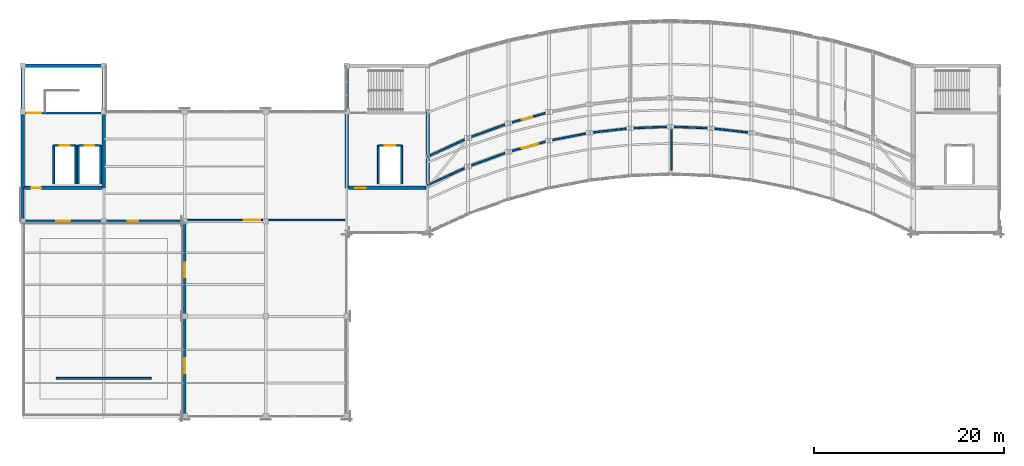
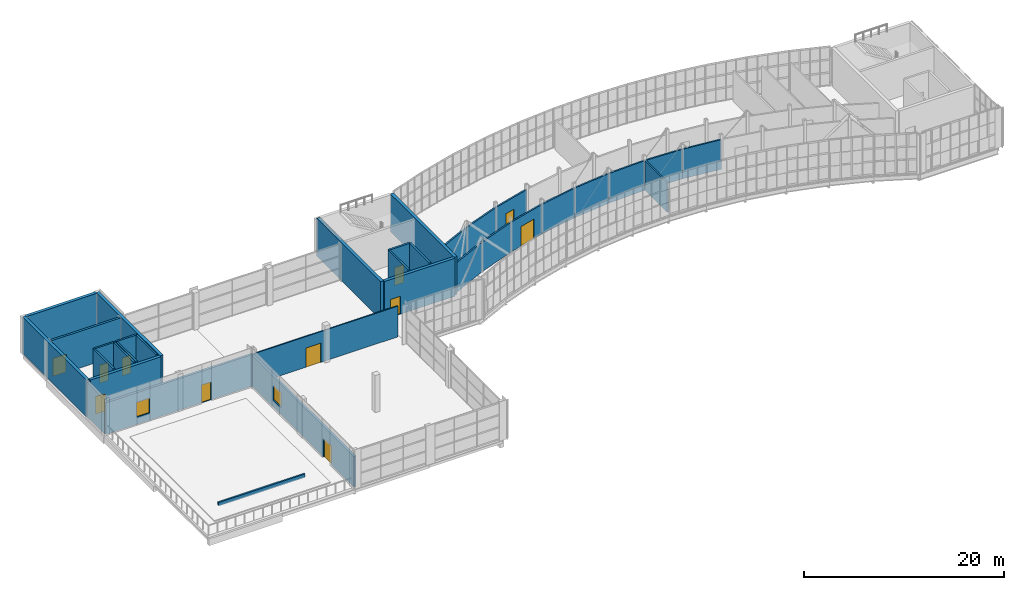
# One storey, part 40 of 46: 34 walls, 11 doors, 2 windows, 13 openings.
"""IFC4 building model written with IfcOpenShell, lengths in metres."""

import ifcopenshell
import ifcopenshell.guid

model = None  # the IFC model being written
_history = None  # IfcOwnerHistory: only IFC2X3 demands one
_inside = {}  # id of a spatial element -> (the spatial element, [elements in it])
_under = {}  # id of a project, library or spatial element -> (it, [spatial elements below it])
_declared = {}  # id of a project -> (the project, [libraries it declares])
_typed = {}  # id of a type object -> (the type object, [elements of that type])
_made_of = {}  # id of a material, layer set ... -> (it, [elements and type objects made of it])


def new_model(schema):
    """Start an empty IFC model of exactly this schema.

    Asked for "IFC4X3", IfcOpenShell would pick the latest addendum, in which some entities
    have other attributes; the version numbers below select the first issue.
    IFC2X3 requires an IfcOwnerHistory on every rooted entity: one is made here for all.
    """
    global model, _history
    if schema == "IFC4X3":
        model = ifcopenshell.file(schema_version=(4, 3, 0, 0))
    else:
        model = ifcopenshell.file(schema=schema)
    _inside.clear()
    _under.clear()
    _declared.clear()
    _typed.clear()
    _made_of.clear()
    _history = None
    if model.schema == "IFC2X3":
        org = make("IfcOrganization", Name="unknown")
        user = make(
            "IfcPersonAndOrganization",
            ThePerson=make("IfcPerson", FamilyName="unknown"),
            TheOrganization=org,
        )
        app = make(
            "IfcApplication",
            ApplicationDeveloper=org,
            Version="unknown",
            ApplicationFullName="unknown",
            ApplicationIdentifier="unknown",
        )
        _history = make(
            "IfcOwnerHistory",
            OwningUser=user,
            OwningApplication=app,
            ChangeAction="ADDED",
            CreationDate=0,
        )
    return model


def make(cls, **values):
    """One entity of the class cls with the attributes given. An attribute that is None is left unset."""
    return model.create_entity(
        cls, **{name: value for name, value in values.items() if value is not None}
    )


def rooted(cls, **values):
    """An entity with a GlobalId (a new one), such as an element, a storey or a relation."""
    return make(cls, GlobalId=ifcopenshell.guid.new(), OwnerHistory=_history, **values)


def si_unit(unit_type, name, prefix=None):
    """IfcSIUnit, for example si_unit("LENGTHUNIT", "METRE", prefix="MILLI")."""
    return make("IfcSIUnit", UnitType=unit_type, Prefix=prefix, Name=name)


def assignment(units):
    """IfcUnitAssignment: the units of a project."""
    return None if units is None else make("IfcUnitAssignment", Units=units)


def point(xyz):
    """IfcCartesianPoint."""
    return None if xyz is None else make("IfcCartesianPoint", Coordinates=xyz)


def direction(xyz):
    """IfcDirection."""
    return None if xyz is None else make("IfcDirection", DirectionRatios=xyz)


def frame(location, z_axis=None, x_axis=None):
    """IfcAxis2Placement3D, a coordinate frame: its origin and axes. An axis left out is left unset."""
    return make(
        "IfcAxis2Placement3D",
        Location=point(location),
        Axis=direction(z_axis),
        RefDirection=direction(x_axis),
    )


def frame_2d(location, x_axis=None):
    """IfcAxis2Placement2D, a coordinate frame in the plane: its origin and x axis."""
    return make(
        "IfcAxis2Placement2D", Location=point(location), RefDirection=direction(x_axis)
    )


def origin():
    """The frame at (0, 0, 0) with its axes left unset."""
    return frame((0.0, 0.0, 0.0))


def place(relative_to, where):
    """IfcLocalPlacement: puts the frame where relative to a parent placement (None: the world)."""
    return make(
        "IfcLocalPlacement", PlacementRelTo=relative_to, RelativePlacement=where
    )


def context(
    kind, dimensions, precision=None, world=None, true_north=None, identifier=None
):
    """IfcGeometricRepresentationContext, for example the 3D "Model" context."""
    return make(
        "IfcGeometricRepresentationContext",
        ContextIdentifier=identifier,
        ContextType=kind,
        CoordinateSpaceDimension=dimensions,
        Precision=precision,
        WorldCoordinateSystem=world,
        TrueNorth=true_north,
    )


def subcontext(parent, identifier, kind, view, scale=None):
    """IfcGeometricRepresentationSubContext, for example "Body" below "Model"."""
    return make(
        "IfcGeometricRepresentationSubContext",
        ContextIdentifier=identifier,
        ContextType=kind,
        ParentContext=parent,
        TargetScale=scale,
        TargetView=view,
    )


def project(units=None, contexts=None):
    """IfcProject with its units and contexts."""
    return rooted(
        "IfcProject",
        Name="project",
        RepresentationContexts=contexts,
        UnitsInContext=assignment(units),
    )


def spatial(cls, under=None, at=None, **own):
    """A site, building, storey or space (cls), placed at a placement, below another one or the project."""
    s = rooted(cls, ObjectPlacement=at, **own)
    if under is not None:
        _under.setdefault(under.id(), (under, []))[1].append(s)
    return s


def profile(cls, at=None, kind="AREA", **sizes):
    """A parametric profile (cls). Its sizes go by their IFC names, for example OverallWidth=200.0."""
    return make(cls, ProfileType=kind, Position=at, **sizes)


def rectangle(**sizes):
    """IfcRectangleProfileDef."""
    return profile("IfcRectangleProfileDef", **sizes)


def extrude(swept, where, along, depth):
    """IfcExtrudedAreaSolid: the profile swept, set in the frame where, extruded along a direction by depth."""
    return make(
        "IfcExtrudedAreaSolid",
        SweptArea=swept,
        Position=where,
        ExtrudedDirection=direction(along),
        Depth=depth,
    )


def shape(context_of_items, identifier, shape_type, items):
    """IfcShapeRepresentation: the items that make up one representation, for example the "Body"."""
    return make(
        "IfcShapeRepresentation",
        ContextOfItems=context_of_items,
        RepresentationIdentifier=identifier,
        RepresentationType=shape_type,
        Items=items,
    )


def material(Name=None, Category=None):
    """IfcMaterial."""
    return make("IfcMaterial", Name=Name, Category=Category)


def layer(
    of_material, thickness, ventilated=None, Name=None, Category=None, Priority=None
):
    """IfcMaterialLayer: one layer of a wall or slab, of a material (None: an air gap)."""
    return make(
        "IfcMaterialLayer",
        Material=of_material,
        LayerThickness=thickness,
        IsVentilated=ventilated,
        Name=Name,
        Category=Category,
        Priority=Priority,
    )


def layer_set(layers, Name=None):
    """IfcMaterialLayerSet."""
    return make("IfcMaterialLayerSet", MaterialLayers=layers, LayerSetName=Name)


def made_of(thing, what):
    """Note that an element or type object is made of a material, layer set ...; save() writes the relation."""
    if what is not None:
        _made_of.setdefault(what.id(), (what, []))[1].append(thing)
    return thing


def type_object(cls, material=None, **own):
    """A type object (cls), such as IfcWallType, which elements share."""
    return made_of(rooted(cls, **own), material)


def element(
    cls,
    number,
    at=None,
    inside=None,
    cuts=None,
    type_object=None,
    material=None,
    context=None,
    identifier="Body",
    shape_type=None,
    held_by="IfcProductDefinitionShape",
    body=None,
    shapes=None,
    **own,
):
    """One element of the class cls, such as IfcWall. Its Tag is "e" and its number.

    at: its placement. inside: the storey or other place that contains it. cuts: it is an
    opening in that element (IfcRelVoidsElement). A single representation is given by context,
    identifier, shape_type and body (its items); several are given by shapes. held_by: the class
    of the entity that holds the representations. save() writes the other relations.
    """
    e = rooted(cls, Tag="e%d" % number, ObjectPlacement=at, **own)
    if body is not None:
        shapes = [shape(context, identifier, shape_type, body)]
    if shapes is not None:
        e.Representation = make(held_by, Representations=shapes)
    if inside is not None:
        _inside.setdefault(inside.id(), (inside, []))[1].append(e)
    if cuts is not None:
        rooted(
            "IfcRelVoidsElement", RelatingBuildingElement=cuts, RelatedOpeningElement=e
        )
    if type_object is not None:
        _typed.setdefault(type_object.id(), (type_object, []))[1].append(e)
    return made_of(e, material)


def fill(opening, filler):
    """IfcRelFillsElement: the door or window that sits in an opening."""
    return rooted(
        "IfcRelFillsElement",
        RelatingOpeningElement=opening,
        RelatedBuildingElement=filler,
    )


def aggregate(whole, parts):
    """IfcRelAggregates: a whole, such as a stair, and the parts it consists of."""
    return rooted("IfcRelAggregates", RelatingObject=whole, RelatedObjects=parts)


def save(model, path):
    """Write the relations noted so far, then the file.

    IfcRelAggregates (storeys below a building ...), IfcRelContainedInSpatialStructure (elements
    in a storey), IfcRelDefinesByType, IfcRelAssociatesMaterial and IfcRelDeclares: one each for
    every whole, place, type object, material and project.
    """
    for whole, parts in _under.values():
        aggregate(whole, parts)
    for where, things in _inside.values():
        rooted(
            "IfcRelContainedInSpatialStructure",
            RelatedElements=things,
            RelatingStructure=where,
        )
    for kind, things in _typed.values():
        rooted("IfcRelDefinesByType", RelatedObjects=things, RelatingType=kind)
    for what, things in _made_of.values():
        rooted("IfcRelAssociatesMaterial", RelatedObjects=things, RelatingMaterial=what)
    for by, libraries in _declared.values():
        rooted("IfcRelDeclares", RelatingContext=by, RelatedDefinitions=libraries)
    model.write(path)


model = new_model("IFC4")

# Units and contexts
model_context = context("Model", 3, precision=1e-05, world=origin(), true_north=direction((0.0, 1.0)))
body_context = subcontext(model_context, "Body", "Model", "MODEL_VIEW")
ifc_project = project(units=[si_unit("LENGTHUNIT", "METRE"), si_unit("AREAUNIT", "SQUARE_METRE"), si_unit("VOLUMEUNIT", "CUBIC_METRE"), si_unit("PLANEANGLEUNIT", "RADIAN"), si_unit("MASSUNIT", "GRAM", prefix="KILO")], contexts=[model_context])

# Site, building, storey
site_placement = place(None, origin())
site = spatial("IfcSite", under=ifc_project, at=site_placement, CompositionType="ELEMENT")
building_placement = place(site_placement, origin())
building = spatial("IfcBuilding", under=site, at=building_placement, Name="Solvikara Media Centre", CompositionType="ELEMENT")
storey_placement = place(building_placement, frame((0.0, 0.0, 24.60009765625)))
storey = spatial("IfcBuildingStorey", under=building, at=storey_placement, Name="L05", CompositionType="ELEMENT", Elevation=24.60009765625)

# Walls
ifc_material_1 = material(Name="Concrete fc' 45 MPa (C45/55)", Category="concrete")
ifc_layer_1 = layer(ifc_material_1, 0.35009765625)
ifc_layer_set_1 = layer_set([ifc_layer_1], Name="Concrete fc' 45 MPa (C45/55)")
wall_type_1 = type_object("IfcWallType", Name="WT-03", PredefinedType="SHEAR", material=ifc_layer_set_1)
for number, where, z_axis, x_axis, name in (
    (1, (34.0, 24.0, 0.0), (0.0, 0.0, 1.0), (0.0, 1.0, 0.0), "CW-C2-L05-W"),
    (2, (42.5, 24.0, 0.0), (0.0, 0.0, 1.0), (0.0, 1.0, 0.0), "CW-C2-L05-E"),
):
    element("IfcWall", number, at=place(storey_placement, frame(where, z_axis=z_axis, x_axis=x_axis)), inside=storey, type_object=wall_type_1, Name=name, PredefinedType="SHEAR", context=body_context, shape_type="SweptSolid", body=[
        extrude(rectangle(XDim=12.800048828125, YDim=0.35009765625, at=frame_2d((6.39990234375, 0.0))), origin(), (0.0, 0.0, 1.0), 4.489990234375),
    ])
wall_1_placement = place(storey_placement, frame((34.175048828125, 36.800048828125, 0.0), z_axis=(0.0, 0.0, 1.0), x_axis=(1.0, 0.0, 0.0)))
element("IfcWall", 3, at=wall_1_placement, inside=storey, type_object=wall_type_1, Name="CW-C2-L05-N", PredefinedType="SHEAR", context=body_context, shape_type="SweptSolid", body=[
    extrude(rectangle(XDim=8.14990234375, YDim=0.35009765625, at=frame_2d((4.074951171875, 0.0))), origin(), (0.0, 0.0, 1.0), 4.489990234375),
])

# Wall, opening, door
wall_2_placement = place(storey_placement, frame((34.175048828125, 24.0, 0.0), z_axis=(0.0, 0.0, 1.0), x_axis=(1.0, 0.0, 0.0)))
wall_2 = element("IfcWall", 4, at=wall_2_placement, inside=storey, type_object=wall_type_1, Name="CW-C2-L05-S", PredefinedType="SHEAR", context=body_context, shape_type="SweptSolid", body=[
    extrude(rectangle(XDim=8.14990234375, YDim=0.35009765625, at=frame_2d((4.074951171875, 0.0))), origin(), (0.0, 0.0, 1.0), 4.489990234375),
])
opening_1_placement = place(wall_2_placement, frame((0.699951171875, 0.0, 0.0)))
opening_1 = element("IfcOpeningElement", 5, at=opening_1_placement, cuts=wall_2, Name="Opening D-C2-L05-LOB", PredefinedType="OPENING", context=body_context, shape_type="SweptSolid", body=[
    extrude(rectangle(XDim=1.050048828125, YDim=2.14990234375, at=frame_2d((0.52490234375, 1.074951171875))), frame((0.0, 0.18701171875, 0.0), z_axis=(0.0, -1.0, 0.0), x_axis=(1.0, 0.0, 0.0)), (0.0, 0.0, 1.0), 0.3740234375),
])
ifc_material_2 = material(Name="Insulated fire-rated steel door leaf", Category="steel")
door_type_1 = type_object("IfcDoorType", Name="DT-10", OperationType="NOTDEFINED", PredefinedType="DOOR", material=ifc_material_2)
door_1_placement = place(opening_1_placement, frame((1.050048828125, 0.0, 0.0), z_axis=(0.0, 0.0, 1.0), x_axis=(-1.0, 0.0, 0.0)))
door_1 = element("IfcDoor", 6, at=door_1_placement, inside=storey, type_object=door_type_1, Name="D-C2-L05-LOB", OperationType="SINGLE_SWING_RIGHT", OverallHeight=2.14990234375, OverallWidth=1.050048828125, PredefinedType="DOOR", context=body_context, shape_type="SweptSolid", body=[
    extrude(rectangle(XDim=1.050048828125, YDim=2.14990234375, at=frame_2d((0.52490234375, 1.074951171875))), frame((0.0, 0.02490234375, 0.0), z_axis=(0.0, -1.0, 0.0), x_axis=(1.0, 0.0, 0.0)), (0.0, 0.0, 1.0), 0.050048828125),
])
fill(opening_1, door_1)

# Walls
for number, where, z_axis, x_axis, name in (
    (7, (68.0, 24.0, 0.0), (0.0, 0.0, 1.0), (0.0, 1.0, 0.0), "CW-C3-L05-W"),
    (8, (76.5, 24.0, 0.0), (0.0, 0.0, 1.0), (0.0, 1.0, 0.0), "CW-C3-L05-E"),
):
    element("IfcWall", number, at=place(storey_placement, frame(where, z_axis=z_axis, x_axis=x_axis)), inside=storey, type_object=wall_type_1, Name=name, PredefinedType="SHEAR", context=body_context, shape_type="SweptSolid", body=[
        extrude(rectangle(XDim=12.800048828125, YDim=0.35009765625, at=frame_2d((6.39990234375, 0.0))), origin(), (0.0, 0.0, 1.0), 4.639892578125),
    ])

# Wall, opening, door
wall_3_placement = place(storey_placement, frame((68.175048828125, 24.0, 0.0), z_axis=(0.0, 0.0, 1.0), x_axis=(1.0, 0.0, 0.0)))
wall_3 = element("IfcWall", 9, at=wall_3_placement, inside=storey, type_object=wall_type_1, Name="CW-C3-L05-S", PredefinedType="SHEAR", context=body_context, shape_type="SweptSolid", body=[
    extrude(rectangle(XDim=8.14990234375, YDim=0.35009765625, at=frame_2d((4.074951171875, 0.0))), origin(), (0.0, 0.0, 1.0), 4.639892578125),
])
opening_2_placement = place(wall_3_placement, frame((0.699951171875, 0.0, 0.0)))
opening_2 = element("IfcOpeningElement", 10, at=opening_2_placement, cuts=wall_3, Name="Opening D-C3-L05-LOB", PredefinedType="OPENING", context=body_context, shape_type="SweptSolid", body=[
    extrude(rectangle(XDim=1.14990234375, YDim=2.199951171875, at=frame_2d((0.574951171875, 1.10009765625))), frame((0.0, 0.18701171875, 0.0), z_axis=(0.0, -1.0, 0.0), x_axis=(1.0, 0.0, 0.0)), (0.0, 0.0, 1.0), 0.3740234375),
])
door_type_2 = type_object("IfcDoorType", Name="DT-09", OperationType="NOTDEFINED", PredefinedType="DOOR", material=ifc_material_2)
door_2_placement = place(opening_2_placement, frame((1.14990234375, 0.0, 0.0), z_axis=(0.0, 0.0, 1.0), x_axis=(-1.0, 0.0, 0.0)))
door_2 = element("IfcDoor", 11, at=door_2_placement, inside=storey, type_object=door_type_2, Name="D-C3-L05-LOB", OperationType="SINGLE_SWING_RIGHT", OverallHeight=2.199951171875, OverallWidth=1.14990234375, PredefinedType="DOOR", context=body_context, shape_type="SweptSolid", body=[
    extrude(rectangle(XDim=1.14990234375, YDim=2.199951171875, at=frame_2d((0.574951171875, 1.10009765625))), frame((0.0, 0.02490234375, 0.0), z_axis=(0.0, -1.0, 0.0), x_axis=(1.0, 0.0, 0.0)), (0.0, 0.0, 1.0), 0.050048828125),
])
fill(opening_2, door_2)

ifc_layer_2 = layer(ifc_material_1, 0.25)
ifc_layer_set_2 = layer_set([ifc_layer_2], Name="Concrete fc' 45 MPa (C45/55)")
wall_type_2 = type_object("IfcWallType", Name="WT-07", PredefinedType="STANDARD", material=ifc_layer_set_2)
wall_4_placement = place(storey_placement, frame((34.25, 31.85009765625, 0.0), z_axis=(0.0, 0.0, 1.0), x_axis=(1.0, 0.0, 0.0)))
wall_4 = element("IfcWall", 12, at=wall_4_placement, inside=storey, type_object=wall_type_2, Name="CW-C2-L05-SD", PredefinedType="STANDARD", context=body_context, shape_type="SweptSolid", body=[
    extrude(rectangle(XDim=8.0, YDim=0.25, at=frame_2d((4.0, 0.0))), origin(), (0.0, 0.0, 1.0), 4.489990234375),
])
opening_3_placement = place(wall_4_placement, frame((0.199951171875, 0.0, 0.0)))
opening_3 = element("IfcOpeningElement", 13, at=opening_3_placement, cuts=wall_4, Name="Opening D-C2-L05-ST", PredefinedType="OPENING", context=body_context, shape_type="SweptSolid", body=[
    extrude(rectangle(XDim=1.5, YDim=2.199951171875, at=frame_2d((0.75, 1.10009765625))), frame((0.0, 0.136962890625, 0.0), z_axis=(0.0, -1.0, 0.0), x_axis=(1.0, 0.0, 0.0)), (0.0, 0.0, 1.0), 0.27392578125),
])
door_type_3 = type_object("IfcDoorType", Name="DT-08", OperationType="DOUBLE_DOOR_SINGLE_SWING", PredefinedType="DOOR", material=ifc_material_2)
door_3_placement = place(opening_3_placement, frame((1.5, 0.0, 0.0), z_axis=(0.0, 0.0, 1.0), x_axis=(-1.0, 0.0, 0.0)))
door_3 = element("IfcDoor", 14, at=door_3_placement, inside=storey, type_object=door_type_3, Name="D-C2-L05-ST", OperationType="DOUBLE_DOOR_SINGLE_SWING", OverallHeight=2.199951171875, OverallWidth=1.5, PredefinedType="DOOR", context=body_context, shape_type="SweptSolid", body=[
    extrude(rectangle(XDim=1.5, YDim=2.199951171875, at=frame_2d((0.75, 1.10009765625))), frame((0.0, 0.02490234375, 0.0), z_axis=(0.0, -1.0, 0.0), x_axis=(1.0, 0.0, 0.0)), (0.0, 0.0, 1.0), 0.050048828125),
])
fill(opening_3, door_3)

# Wall, openings, door, window
ifc_material_3 = material(Name="Precast concrete fc' 40 MPa (C40/50)", Category="concrete")
ifc_layer_3 = layer(ifc_material_3, 0.260009765625)
ifc_layer_set_3 = layer_set([ifc_layer_3], Name="Precast concrete fc' 40 MPa (C40/50)")
wall_type_3 = type_object("IfcWallType", Name="WT-12", PredefinedType="STANDARD", material=ifc_layer_set_3)
wall_5_placement = place(storey_placement, frame((51.0, 0.0, 0.0), z_axis=(0.0, 0.0, 1.0), x_axis=(0.0, 1.0, 0.0)))
wall_5 = element("IfcWall", 15, at=wall_5_placement, inside=storey, type_object=wall_type_3, Name="EW-L05-V6-W", PredefinedType="STANDARD", context=body_context, shape_type="SweptSolid", body=[
    extrude(rectangle(XDim=20.5, YDim=0.260009765625, at=frame_2d((10.25, 0.0))), origin(), (0.0, 0.0, 1.0), 3.7578125),
])
opening_4_placement = place(wall_5_placement, frame((4.5, 0.0, 0.0)))
opening_4 = element("IfcOpeningElement", 16, at=opening_4_placement, cuts=wall_5, Name="Opening TD-L05-V6W", PredefinedType="OPENING", context=body_context, shape_type="SweptSolid", body=[
    extrude(rectangle(XDim=1.60009765625, YDim=2.300048828125, at=frame_2d((0.800048828125, 1.14990234375))), frame((0.0, 0.14208984375, 0.0), z_axis=(0.0, -1.0, 0.0), x_axis=(1.0, 0.0, 0.0)), (0.0, 0.0, 1.0), 0.283935546875),
])
opening_5_placement = place(wall_5_placement, frame((14.625, 0.0, 0.89990234375)))
opening_5 = element("IfcOpeningElement", 17, at=opening_5_placement, cuts=wall_5, Name="Opening W-L05-V6W-W02", PredefinedType="OPENING", context=body_context, shape_type="SweptSolid", body=[
    extrude(rectangle(XDim=1.5, YDim=1.800048828125, at=frame_2d((0.75, 0.89990234375))), frame((0.0, 0.14208984375, 0.0), z_axis=(0.0, -1.0, 0.0), x_axis=(1.0, 0.0, 0.0)), (0.0, 0.0, 1.0), 0.283935546875),
])
ifc_material_4 = material(Name="Anodised aluminium EN AW-6063", Category="aluminium")
door_type_4 = type_object("IfcDoorType", Name="DT-04", OperationType="DOUBLE_DOOR_SINGLE_SWING", PredefinedType="DOOR", material=ifc_material_4)
door_4_placement = place(opening_4_placement, origin())
door_4 = element("IfcDoor", 18, at=door_4_placement, inside=storey, type_object=door_type_4, Name="TD-L05-V6W", OperationType="DOUBLE_DOOR_SINGLE_SWING", OverallHeight=2.300048828125, OverallWidth=1.60009765625, PredefinedType="DOOR", context=body_context, shape_type="SweptSolid", body=[
    extrude(rectangle(XDim=1.60009765625, YDim=2.300048828125, at=frame_2d((0.800048828125, 1.14990234375))), frame((0.0, 0.02490234375, 0.0), z_axis=(0.0, -1.0, 0.0), x_axis=(1.0, 0.0, 0.0)), (0.0, 0.0, 1.0), 0.050048828125),
])
fill(opening_4, door_4)
ifc_material_5 = material(Name="Double-glazed low-E architectural glass", Category="glass")
window_type = type_object("IfcWindowType", Name="WN-02", PartitioningType="SINGLE_PANEL", PredefinedType="WINDOW", material=ifc_material_5)
window_1_placement = place(opening_5_placement, origin())
window_1 = element("IfcWindow", 19, at=window_1_placement, inside=storey, type_object=window_type, Name="W-L05-V6W-W02", OverallHeight=1.800048828125, OverallWidth=1.5, PartitioningType="SINGLE_PANEL", PredefinedType="WINDOW", context=body_context, shape_type="SweptSolid", body=[
    extrude(rectangle(XDim=1.5, YDim=1.800048828125, at=frame_2d((0.75, 0.89990234375))), frame((0.0, 0.030029296875, 0.0), z_axis=(0.0, -1.0, 0.0), x_axis=(1.0, 0.0, 0.0)), (0.0, 0.0, 1.0), 0.06005859375),
])
fill(opening_5, window_1)

wall_6_placement = place(storey_placement, frame((34.0, 20.5, 0.0), z_axis=(0.0, 0.0, 1.0), x_axis=(1.0, 0.0, 0.0)))
wall_6 = element("IfcWall", 20, at=wall_6_placement, inside=storey, type_object=wall_type_3, Name="EW-L05-V6-S2", PredefinedType="STANDARD", context=body_context, shape_type="SweptSolid", body=[
    extrude(rectangle(XDim=17.0, YDim=0.260009765625, at=frame_2d((8.5, 0.0))), origin(), (0.0, 0.0, 1.0), 3.865966796875),
])
opening_6_placement = place(wall_6_placement, frame((11.0, 0.0, 0.0)))
opening_6 = element("IfcOpeningElement", 21, at=opening_6_placement, cuts=wall_6, Name="Opening TD-L05-V6W2", PredefinedType="OPENING", context=body_context, shape_type="SweptSolid", body=[
    extrude(rectangle(XDim=1.10009765625, YDim=2.199951171875, at=frame_2d((0.550048828125, 1.10009765625))), frame((0.0, 0.14208984375, 0.0), z_axis=(0.0, -1.0, 0.0), x_axis=(1.0, 0.0, 0.0)), (0.0, 0.0, 1.0), 0.283935546875),
])
opening_7_placement = place(wall_6_placement, frame((3.5, 0.0, 0.89990234375)))
opening_7 = element("IfcOpeningElement", 22, at=opening_7_placement, cuts=wall_6, Name="Opening W-L05-V6S2-W01", PredefinedType="OPENING", context=body_context, shape_type="SweptSolid", body=[
    extrude(rectangle(XDim=1.5, YDim=1.800048828125, at=frame_2d((0.75, 0.89990234375))), frame((0.0, 0.14208984375, 0.0), z_axis=(0.0, -1.0, 0.0), x_axis=(1.0, 0.0, 0.0)), (0.0, 0.0, 1.0), 0.283935546875),
])
door_type_5 = type_object("IfcDoorType", Name="DT-05", OperationType="NOTDEFINED", PredefinedType="DOOR", material=ifc_material_4)
door_5_placement = place(opening_6_placement, frame((1.10009765625, 0.0, 0.0), z_axis=(0.0, 0.0, 1.0), x_axis=(-1.0, 0.0, 0.0)))
door_5 = element("IfcDoor", 23, at=door_5_placement, inside=storey, type_object=door_type_5, Name="TD-L05-V6W2", OperationType="SINGLE_SWING_RIGHT", OverallHeight=2.199951171875, OverallWidth=1.10009765625, PredefinedType="DOOR", context=body_context, shape_type="SweptSolid", body=[
    extrude(rectangle(XDim=1.10009765625, YDim=2.199951171875, at=frame_2d((0.550048828125, 1.10009765625))), frame((0.0, 0.02490234375, 0.0), z_axis=(0.0, -1.0, 0.0), x_axis=(1.0, 0.0, 0.0)), (0.0, 0.0, 1.0), 0.050048828125),
])
fill(opening_6, door_5)
window_2_placement = place(opening_7_placement, origin())
window_2 = element("IfcWindow", 24, at=window_2_placement, inside=storey, type_object=window_type, Name="W-L05-V6S2-W01", OverallHeight=1.800048828125, OverallWidth=1.5, PartitioningType="SINGLE_PANEL", PredefinedType="WINDOW", context=body_context, shape_type="SweptSolid", body=[
    extrude(rectangle(XDim=1.5, YDim=1.800048828125, at=frame_2d((0.75, 0.89990234375))), frame((0.0, 0.030029296875, 0.0), z_axis=(0.0, -1.0, 0.0), x_axis=(1.0, 0.0, 0.0)), (0.0, 0.0, 1.0), 0.06005859375),
])
fill(opening_7, window_2)

# Walls
wall_7_placement = place(storey_placement, frame((34.0, 20.5, 0.0), z_axis=(0.0, 0.0, 1.0), x_axis=(0.0, 1.0, 0.0)))
element("IfcWall", 25, at=wall_7_placement, inside=storey, type_object=wall_type_3, Name="EW-L05-C2W", PredefinedType="STANDARD", context=body_context, shape_type="SweptSolid", body=[
    extrude(rectangle(XDim=3.5, YDim=0.260009765625, at=frame_2d((1.75, 0.0))), origin(), (0.0, 0.0, 1.0), 4.227783203125),
])
ifc_layer_4 = layer(ifc_material_3, 0.18994140625)
ifc_layer_set_4 = layer_set([ifc_layer_4], Name="Precast concrete fc' 40 MPa (C40/50)")
wall_type_4 = type_object("IfcWallType", Name="WT-15", PredefinedType="PARAPET", material=ifc_layer_set_4)
wall_8_placement = place(storey_placement, frame((37.5, 4.0, 0.0), z_axis=(0.0, 0.0, 1.0), x_axis=(1.0, 0.0, 0.0)))
element("IfcWall", 26, at=wall_8_placement, inside=storey, type_object=wall_type_4, Name="KRB-L05-01", PredefinedType="PARAPET", context=body_context, shape_type="SweptSolid", body=[
    extrude(rectangle(XDim=10.0, YDim=0.18994140625, at=frame_2d((5.0, 0.0))), origin(), (0.0, 0.0, 1.0), 0.449951171875),
])
ifc_material_6 = material(Name="Fire-rated gypsum and mineral-wool shaft wall assembly")
ifc_layer_5 = layer(ifc_material_6, 0.2099609375)
ifc_layer_set_5 = layer_set([ifc_layer_5], Name="Fire-rated gypsum and mineral-wool shaft wall assembly")
wall_type_5 = type_object("IfcWallType", Name="WT-17", PredefinedType="PARTITIONING", material=ifc_layer_set_5)
for number, where, z_axis, x_axis, name in (
    (27, (37.22998046875, 24.39990234375, 0.0), (0.0, 0.0, 1.0), (0.0, 1.0, 0.0), "LW-LF-P1-L05-W"),
    (28, (39.570068359375, 24.39990234375, 0.0), (0.0, 0.0, 1.0), (0.0, 1.0, 0.0), "LW-LF-P1-L05-E"),
):
    element("IfcWall", number, at=place(storey_placement, frame(where, z_axis=z_axis, x_axis=x_axis)), inside=storey, type_object=wall_type_5, Name=name, PredefinedType="PARTITIONING", context=body_context, shape_type="SweptSolid", body=[
        extrude(rectangle(XDim=4.050048828125, YDim=0.2099609375, at=frame_2d((2.02490234375, 0.0))), origin(), (0.0, 0.0, 1.0), 4.489990234375),
    ])

# Wall, opening, door
wall_9_placement = place(storey_placement, frame((37.22998046875, 28.449951171875, 0.0), z_axis=(0.0, 0.0, 1.0), x_axis=(1.0, 0.0, 0.0)))
wall_9 = element("IfcWall", 29, at=wall_9_placement, inside=storey, type_object=wall_type_5, Name="LW-LF-P1-L05-N", PredefinedType="PARTITIONING", context=body_context, shape_type="SweptSolid", body=[
    extrude(rectangle(XDim=2.340087890625, YDim=0.2099609375, at=frame_2d((1.169921875, 0.0))), origin(), (0.0, 0.0, 1.0), 4.489990234375),
])
opening_8_placement = place(wall_9_placement, frame((0.669921875, 0.0, 0.0)))
opening_8 = element("IfcOpeningElement", 30, at=opening_8_placement, cuts=wall_9, Name="Opening LD-LF-P1-L05", PredefinedType="OPENING", context=body_context, shape_type="SweptSolid", body=[
    extrude(rectangle(XDim=1.0, YDim=2.199951171875, at=frame_2d((0.5, 1.10009765625))), frame((0.0, 0.116943359375, 0.0), z_axis=(0.0, -1.0, 0.0), x_axis=(1.0, 0.0, 0.0)), (0.0, 0.0, 1.0), 0.23388671875),
])
door_type_6 = type_object("IfcDoorType", Name="LD-02", OperationType="DOUBLE_DOOR_SLIDING", PredefinedType="DOOR", material=ifc_material_2)
door_6_placement = place(opening_8_placement, origin())
door_6 = element("IfcDoor", 31, at=door_6_placement, inside=storey, type_object=door_type_6, Name="LD-LF-P1-L05", OperationType="DOUBLE_DOOR_SLIDING", OverallHeight=2.199951171875, OverallWidth=1.0, PredefinedType="DOOR", context=body_context, shape_type="SweptSolid", body=[
    extrude(rectangle(XDim=1.0, YDim=2.199951171875, at=frame_2d((0.5, 1.10009765625))), frame((0.0, 0.02490234375, 0.0), z_axis=(0.0, -1.0, 0.0), x_axis=(1.0, 0.0, 0.0)), (0.0, 0.0, 1.0), 0.050048828125),
])
fill(opening_8, door_6)

# Walls
for number, where, z_axis, x_axis, name in (
    (32, (39.830078125, 24.39990234375, 0.0), (0.0, 0.0, 1.0), (0.0, 1.0, 0.0), "LW-LF-P2-L05-W"),
    (33, (42.169921875, 24.39990234375, 0.0), (0.0, 0.0, 1.0), (0.0, 1.0, 0.0), "LW-LF-P2-L05-E"),
):
    element("IfcWall", number, at=place(storey_placement, frame(where, z_axis=z_axis, x_axis=x_axis)), inside=storey, type_object=wall_type_5, Name=name, PredefinedType="PARTITIONING", context=body_context, shape_type="SweptSolid", body=[
        extrude(rectangle(XDim=4.050048828125, YDim=0.2099609375, at=frame_2d((2.02490234375, 0.0))), origin(), (0.0, 0.0, 1.0), 4.489990234375),
    ])

# Wall, opening, door
wall_10_placement = place(storey_placement, frame((39.830078125, 28.449951171875, 0.0), z_axis=(0.0, 0.0, 1.0), x_axis=(1.0, 0.0, 0.0)))
wall_10 = element("IfcWall", 34, at=wall_10_placement, inside=storey, type_object=wall_type_5, Name="LW-LF-P2-L05-N", PredefinedType="PARTITIONING", context=body_context, shape_type="SweptSolid", body=[
    extrude(rectangle(XDim=2.33984375, YDim=0.2099609375, at=frame_2d((1.169921875, 0.0))), origin(), (0.0, 0.0, 1.0), 4.489990234375),
])
opening_9_placement = place(wall_10_placement, frame((0.669921875, 0.0, 0.0)))
opening_9 = element("IfcOpeningElement", 35, at=opening_9_placement, cuts=wall_10, Name="Opening LD-LF-P2-L05", PredefinedType="OPENING", context=body_context, shape_type="SweptSolid", body=[
    extrude(rectangle(XDim=1.0, YDim=2.199951171875, at=frame_2d((0.5, 1.10009765625))), frame((0.0, 0.116943359375, 0.0), z_axis=(0.0, -1.0, 0.0), x_axis=(1.0, 0.0, 0.0)), (0.0, 0.0, 1.0), 0.23388671875),
])
door_7_placement = place(opening_9_placement, origin())
door_7 = element("IfcDoor", 36, at=door_7_placement, inside=storey, type_object=door_type_6, Name="LD-LF-P2-L05", OperationType="DOUBLE_DOOR_SLIDING", OverallHeight=2.199951171875, OverallWidth=1.0, PredefinedType="DOOR", context=body_context, shape_type="SweptSolid", body=[
    extrude(rectangle(XDim=1.0, YDim=2.199951171875, at=frame_2d((0.5, 1.10009765625))), frame((0.0, 0.02490234375, 0.0), z_axis=(0.0, -1.0, 0.0), x_axis=(1.0, 0.0, 0.0)), (0.0, 0.0, 1.0), 0.050048828125),
])
fill(opening_9, door_7)

# Walls
for number, where, z_axis, x_axis, name in (
    (37, (71.330078125, 24.39990234375, 0.0), (0.0, 0.0, 1.0), (0.0, 1.0, 0.0), "LW-LF-FF2-L05-W"),
    (38, (73.77001953125, 24.39990234375, 0.0), (0.0, 0.0, 1.0), (0.0, 1.0, 0.0), "LW-LF-FF2-L05-E"),
):
    element("IfcWall", number, at=place(storey_placement, frame(where, z_axis=z_axis, x_axis=x_axis)), inside=storey, type_object=wall_type_5, Name=name, PredefinedType="PARTITIONING", context=body_context, shape_type="SweptSolid", body=[
        extrude(rectangle(XDim=4.050048828125, YDim=0.2099609375, at=frame_2d((2.02490234375, 0.0))), origin(), (0.0, 0.0, 1.0), 4.639892578125),
    ])

# Wall, opening, door
wall_11_placement = place(storey_placement, frame((71.330078125, 28.449951171875, 0.0), z_axis=(0.0, 0.0, 1.0), x_axis=(1.0, 0.0, 0.0)))
wall_11 = element("IfcWall", 39, at=wall_11_placement, inside=storey, type_object=wall_type_5, Name="LW-LF-FF2-L05-N", PredefinedType="PARTITIONING", context=body_context, shape_type="SweptSolid", body=[
    extrude(rectangle(XDim=2.43994140625, YDim=0.2099609375, at=frame_2d((1.219970703125, 0.0))), origin(), (0.0, 0.0, 1.0), 4.639892578125),
])
opening_10_placement = place(wall_11_placement, frame((0.669921875, 0.0, 0.0)))
opening_10 = element("IfcOpeningElement", 40, at=opening_10_placement, cuts=wall_11, Name="Opening LD-LF-FF2-L05", PredefinedType="OPENING", context=body_context, shape_type="SweptSolid", body=[
    extrude(rectangle(XDim=1.10009765625, YDim=2.199951171875, at=frame_2d((0.550048828125, 1.10009765625))), frame((0.0, 0.116943359375, 0.0), z_axis=(0.0, -1.0, 0.0), x_axis=(1.0, 0.0, 0.0)), (0.0, 0.0, 1.0), 0.23388671875),
])
door_type_7 = type_object("IfcDoorType", Name="LD-01", OperationType="DOUBLE_DOOR_SLIDING", PredefinedType="DOOR", material=ifc_material_2)
door_8_placement = place(opening_10_placement, origin())
door_8 = element("IfcDoor", 41, at=door_8_placement, inside=storey, type_object=door_type_7, Name="LD-LF-FF2-L05", OperationType="DOUBLE_DOOR_SLIDING", OverallHeight=2.199951171875, OverallWidth=1.10009765625, PredefinedType="DOOR", context=body_context, shape_type="SweptSolid", body=[
    extrude(rectangle(XDim=1.10009765625, YDim=2.199951171875, at=frame_2d((0.550048828125, 1.10009765625))), frame((0.0, 0.02490234375, 0.0), z_axis=(0.0, -1.0, 0.0), x_axis=(1.0, 0.0, 0.0)), (0.0, 0.0, 1.0), 0.050048828125),
])
fill(opening_10, door_8)

# Walls
ifc_layer_6 = layer(ifc_material_6, 0.179931640625)
ifc_layer_set_6 = layer_set([ifc_layer_6], Name="Fire-rated gypsum and mineral-wool shaft wall assembly")
wall_type_6 = type_object("IfcWallType", Name="WT-18", PredefinedType="PARTITIONING", material=ifc_layer_set_6)
for number, where, z_axis, x_axis, name in (
    (42, (76.5, 24.27392578125, 0.0), (0.0, 0.0, 1.0), (0.908484112169, 0.417919391673, 0.0), "PW-L05-137"),
    (43, (76.5, 27.27392578125, 0.0), (0.0, 0.0, 1.0), (0.908484112169, 0.417919391673, 0.0), "PW-L05-138"),
):
    element("IfcWall", number, at=place(storey_placement, frame(where, z_axis=z_axis, x_axis=x_axis)), inside=storey, type_object=wall_type_6, Name=name, PredefinedType="PARTITIONING", context=body_context, shape_type="SweptSolid", body=[
        extrude(rectangle(XDim=4.67822265625, YDim=0.179931640625, at=frame_2d((2.339111328125, 0.0))), origin(), (0.0, 0.0, 1.0), 3.617919921875),
    ])
for number, where, z_axis, x_axis, name in (
    (44, (80.75, 26.22900390625, 0.0), (0.0, 0.0, 1.0), (0.939831249065, 0.341639024821, 0.0), "PW-L05-139"),
    (45, (80.75, 29.22900390625, 0.0), (0.0, 0.0, 1.0), (0.939831249065, 0.341639024821, 0.0), "PW-L05-140"),
):
    element("IfcWall", number, at=place(storey_placement, frame(where, z_axis=z_axis, x_axis=x_axis)), inside=storey, type_object=wall_type_6, Name=name, PredefinedType="PARTITIONING", context=body_context, shape_type="SweptSolid", body=[
        extrude(rectangle(XDim=4.52197265625, YDim=0.179931640625, at=frame_2d((2.260986328125, 0.0))), origin(), (0.0, 0.0, 1.0), 3.617919921875),
    ])

# Wall, opening, door
wall_12_placement = place(storey_placement, frame((85.0, 27.77392578125, 0.0), z_axis=(0.0, 0.0, 1.0), x_axis=(0.964009749544, 0.265866889221, 0.0)))
wall_12 = element("IfcWall", 46, at=wall_12_placement, inside=storey, type_object=wall_type_6, Name="PW-L05-141", PredefinedType="PARTITIONING", context=body_context, shape_type="SweptSolid", body=[
    extrude(rectangle(XDim=4.40869140625, YDim=0.179931640625, at=frame_2d((2.204345703125, 0.0))), origin(), (0.0, 0.0, 1.0), 3.617919921875),
])
opening_11_placement = place(wall_12_placement, frame((1.449951171875, 0.0, 0.0)))
opening_11 = element("IfcOpeningElement", 47, at=opening_11_placement, cuts=wall_12, Name="Opening D-L05-141-1", PredefinedType="OPENING", context=body_context, shape_type="SweptSolid", body=[
    extrude(rectangle(XDim=1.800048828125, YDim=2.39990234375, at=frame_2d((0.89990234375, 1.199951171875))), frame((0.0, 0.10205078125, 0.0), z_axis=(0.0, -1.0, 0.0), x_axis=(1.0, 0.0, 0.0)), (0.0, 0.0, 1.0), 0.203857421875),
])
ifc_material_7 = material(Name="Solid core acoustic hardwood timber", Category="wood")
door_type_8 = type_object("IfcDoorType", Name="DT-12", OperationType="DOUBLE_DOOR_SINGLE_SWING", PredefinedType="DOOR", material=ifc_material_7)
door_9_placement = place(opening_11_placement, origin())
door_9 = element("IfcDoor", 48, at=door_9_placement, inside=storey, type_object=door_type_8, Name="D-L05-141-1", OperationType="DOUBLE_DOOR_SINGLE_SWING", OverallHeight=2.39990234375, OverallWidth=1.800048828125, PredefinedType="DOOR", context=body_context, shape_type="SweptSolid", body=[
    extrude(rectangle(XDim=1.800048828125, YDim=2.39990234375, at=frame_2d((0.89990234375, 1.199951171875))), frame((0.0, 0.02490234375, 0.0), z_axis=(0.0, -1.0, 0.0), x_axis=(1.0, 0.0, 0.0)), (0.0, 0.0, 1.0), 0.050048828125),
])
fill(opening_11, door_9)

wall_13_placement = place(storey_placement, frame((85.0, 30.77392578125, 0.0), z_axis=(0.0, 0.0, 1.0), x_axis=(0.964009749544, 0.265866889221, 0.0)))
wall_13 = element("IfcWall", 49, at=wall_13_placement, inside=storey, type_object=wall_type_6, Name="PW-L05-142", PredefinedType="PARTITIONING", context=body_context, shape_type="SweptSolid", body=[
    extrude(rectangle(XDim=4.40869140625, YDim=0.179931640625, at=frame_2d((2.204345703125, 0.0))), origin(), (0.0, 0.0, 1.0), 3.617919921875),
])
opening_12_placement = place(wall_13_placement, frame((1.449951171875, 0.0, 0.0)))
opening_12 = element("IfcOpeningElement", 50, at=opening_12_placement, cuts=wall_13, Name="Opening D-L05-142-1", PredefinedType="OPENING", context=body_context, shape_type="SweptSolid", body=[
    extrude(rectangle(XDim=1.10009765625, YDim=2.14990234375, at=frame_2d((0.550048828125, 1.074951171875))), frame((0.0, 0.10205078125, 0.0), z_axis=(0.0, -1.0, 0.0), x_axis=(1.0, 0.0, 0.0)), (0.0, 0.0, 1.0), 0.203857421875),
])
door_type_9 = type_object("IfcDoorType", Name="DT-19", OperationType="NOTDEFINED", PredefinedType="DOOR", material=ifc_material_7)
door_10_placement = place(opening_12_placement, origin())
door_10 = element("IfcDoor", 51, at=door_10_placement, inside=storey, type_object=door_type_9, Name="D-L05-142-1", OperationType="SINGLE_SWING_LEFT", OverallHeight=2.14990234375, OverallWidth=1.10009765625, PredefinedType="DOOR", context=body_context, shape_type="SweptSolid", body=[
    extrude(rectangle(XDim=1.10009765625, YDim=2.14990234375, at=frame_2d((0.550048828125, 1.074951171875))), frame((0.0, 0.02490234375, 0.0), z_axis=(0.0, -1.0, 0.0), x_axis=(1.0, 0.0, 0.0)), (0.0, 0.0, 1.0), 0.050048828125),
])
fill(opening_12, door_10)

# Walls
wall_14_placement = place(storey_placement, frame((89.25, 28.946044921875, 0.0), z_axis=(0.0, 0.0, 1.0), x_axis=(0.981803941213, 0.189897396029, 0.0)))
element("IfcWall", 52, at=wall_14_placement, inside=storey, type_object=wall_type_6, Name="PW-L05-143", PredefinedType="PARTITIONING", context=body_context, shape_type="SweptSolid", body=[
    extrude(rectangle(XDim=4.328857421875, YDim=0.179931640625, at=frame_2d((2.16455078125, 0.0))), origin(), (0.0, 0.0, 1.0), 3.617919921875),
])
wall_15_placement = place(storey_placement, frame((93.5, 29.76806640625, 0.0), z_axis=(0.0, 0.0, 1.0), x_axis=(0.993503575407, 0.113800903571, 0.0)))
element("IfcWall", 53, at=wall_15_placement, inside=storey, type_object=wall_type_6, Name="PW-L05-145", PredefinedType="PARTITIONING", context=body_context, shape_type="SweptSolid", body=[
    extrude(rectangle(XDim=4.27783203125, YDim=0.179931640625, at=frame_2d((2.138916015625, 0.0))), origin(), (0.0, 0.0, 1.0), 3.617919921875),
])
for number, where, z_axis, x_axis, name in (
    (54, (97.75, 30.2548828125, 0.0), (0.0, 0.0, 1.0), (0.999273334025, 0.038115664855, 0.0), "PW-L05-147"),
    (55, (102.0, 30.4169921875, 0.0), (0.0, 0.0, 1.0), (0.999273334025, -0.038115664855, 0.0), "PW-L05-149"),
):
    element("IfcWall", number, at=place(storey_placement, frame(where, z_axis=z_axis, x_axis=x_axis)), inside=storey, type_object=wall_type_6, Name=name, PredefinedType="PARTITIONING", context=body_context, shape_type="SweptSolid", body=[
        extrude(rectangle(XDim=4.253173828125, YDim=0.179931640625, at=frame_2d((2.12646484375, 0.0))), origin(), (0.0, 0.0, 1.0), 3.617919921875),
    ])
wall_16_placement = place(storey_placement, frame((106.25, 30.2548828125, 0.0), z_axis=(0.0, 0.0, 1.0), x_axis=(0.993503575407, -0.113800903571, 0.0)))
element("IfcWall", 56, at=wall_16_placement, inside=storey, type_object=wall_type_6, Name="PW-L05-151", PredefinedType="PARTITIONING", context=body_context, shape_type="SweptSolid", body=[
    extrude(rectangle(XDim=4.27783203125, YDim=0.179931640625, at=frame_2d((2.138916015625, 0.0))), origin(), (0.0, 0.0, 1.0), 3.617919921875),
])
ifc_material_8 = material(Name="Double-stud acoustic gypsum partition assembly")
ifc_layer_7 = layer(ifc_material_8, 0.159912109375)
ifc_layer_set_7 = layer_set([ifc_layer_7], Name="Double-stud acoustic gypsum partition assembly")
wall_type_7 = type_object("IfcWallType", Name="WT-19", PredefinedType="PARTITIONING", material=ifc_layer_set_7)
wall_17_placement = place(storey_placement, frame((102.10009765625, 25.866943359375, 0.0), z_axis=(0.0, 0.0, 1.0), x_axis=(0.0, 1.0, 0.0)))
element("IfcWall", 57, at=wall_17_placement, inside=storey, type_object=wall_type_7, Name="PW-L05-161", PredefinedType="PARTITIONING", context=body_context, shape_type="SweptSolid", body=[
    extrude(rectangle(XDim=4.5, YDim=0.159912109375, at=frame_2d((2.25, 0.0))), origin(), (0.0, 0.0, 1.0), 3.617919921875),
])

# Wall, opening, door
ifc_layer_8 = layer(ifc_material_8, 0.139892578125)
ifc_layer_set_8 = layer_set([ifc_layer_8], Name="Double-stud acoustic gypsum partition assembly")
wall_type_8 = type_object("IfcWallType", Name="WT-20", PredefinedType="PARTITIONING", material=ifc_layer_set_8)
wall_18_placement = place(storey_placement, frame((51.199951171875, 20.60009765625, 0.0), z_axis=(0.0, 0.0, 1.0), x_axis=(1.0, 0.0, 0.0)))
wall_18 = element("IfcWall", 58, at=wall_18_placement, inside=storey, type_object=wall_type_8, Name="PW-L05-168", PredefinedType="PARTITIONING", context=body_context, shape_type="SweptSolid", body=[
    extrude(rectangle(XDim=16.60009765625, YDim=0.139892578125, at=frame_2d((8.300048828125, 0.0))), origin(), (0.0, 0.0, 1.0), 3.7578125),
])
opening_13_placement = place(wall_18_placement, frame((6.0, 0.0, 0.0)))
opening_13 = element("IfcOpeningElement", 59, at=opening_13_placement, cuts=wall_18, Name="Opening D-L05-168-1", PredefinedType="OPENING", context=body_context, shape_type="SweptSolid", body=[
    extrude(rectangle(XDim=1.699951171875, YDim=2.35009765625, at=frame_2d((0.85009765625, 1.175048828125))), frame((0.0, 0.08203125, 0.0), z_axis=(0.0, -1.0, 0.0), x_axis=(1.0, 0.0, 0.0)), (0.0, 0.0, 1.0), 0.163818359375),
])
door_type_10 = type_object("IfcDoorType", Name="DT-21", OperationType="DOUBLE_DOOR_SINGLE_SWING", PredefinedType="DOOR", material=ifc_material_4)
door_11_placement = place(opening_13_placement, origin())
door_11 = element("IfcDoor", 60, at=door_11_placement, inside=storey, type_object=door_type_10, Name="D-L05-168-1", OperationType="DOUBLE_DOOR_SINGLE_SWING", OverallHeight=2.35009765625, OverallWidth=1.699951171875, PredefinedType="DOOR", context=body_context, shape_type="SweptSolid", body=[
    extrude(rectangle(XDim=1.699951171875, YDim=2.35009765625, at=frame_2d((0.85009765625, 1.175048828125))), frame((0.0, 0.02490234375, 0.0), z_axis=(0.0, -1.0, 0.0), x_axis=(1.0, 0.0, 0.0)), (0.0, 0.0, 1.0), 0.050048828125),
])
fill(opening_13, door_11)

save(model, "model.ifc")
